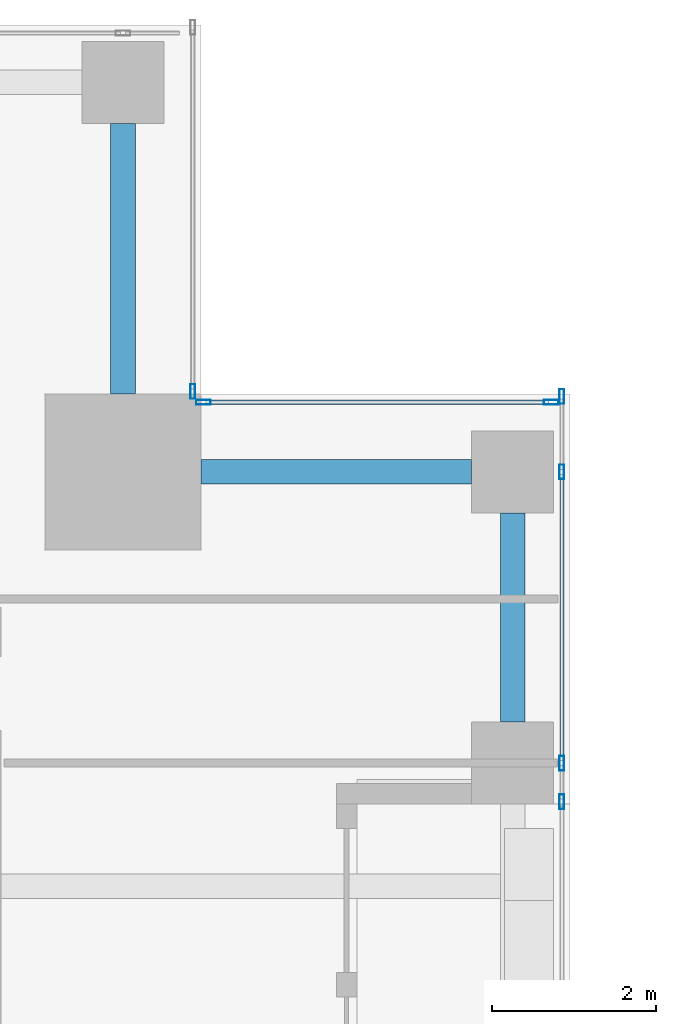
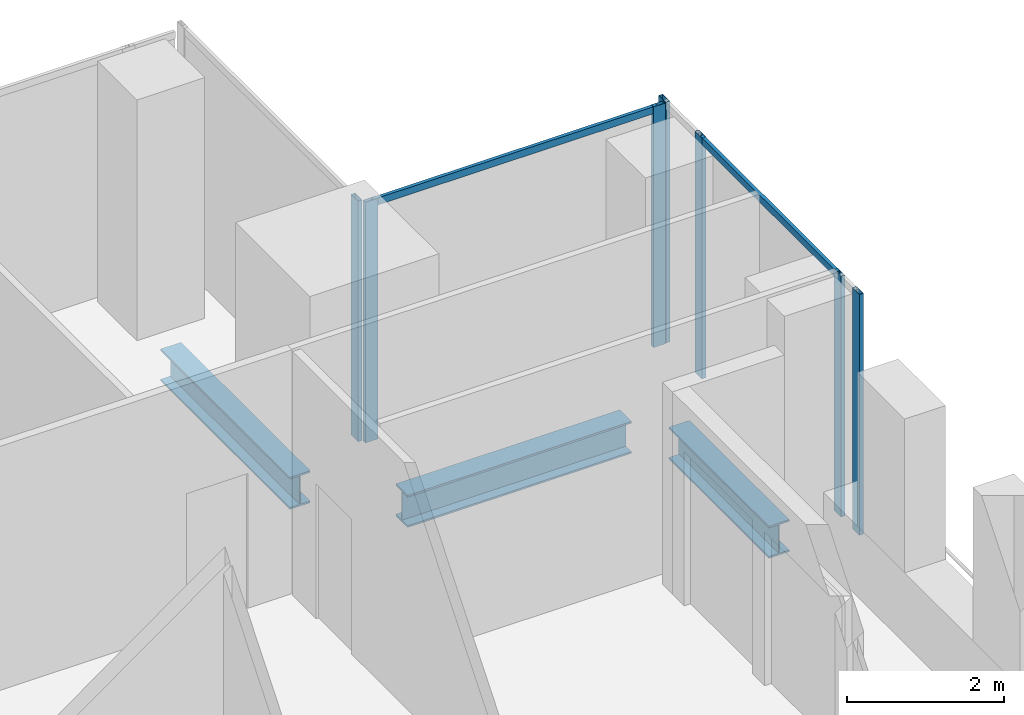
# One storey, part 23 of 38: 9 members, 3 beams, 3 elements without a shape of their own.
"""IFC4 building model written with IfcOpenShell, lengths in metres."""

from ifc_helpers import new_model, si_unit, direction, frame, origin, origin_2d, place, context, subcontext, project, spatial, hollow_rectangle, i_section, extrude, source, transform, mapped, material, material_profile, profile_set, type_object, element, aggregate, save


model = new_model("IFC4")

# Units and contexts
model_context = context("Model", 3, precision=1e-05, world=origin(), true_north=direction((0.0, 1.0)))
body_context = subcontext(model_context, "Body", "Model", "MODEL_VIEW")
ifc_project = project(units=[si_unit("LENGTHUNIT", "METRE"), si_unit("AREAUNIT", "SQUARE_METRE"), si_unit("VOLUMEUNIT", "CUBIC_METRE"), si_unit("PLANEANGLEUNIT", "RADIAN"), si_unit("MASSUNIT", "GRAM", prefix="KILO")], contexts=[model_context])

# Site, building, storey
site_placement = place(None, origin())
site = spatial("IfcSite", under=ifc_project, at=site_placement, CompositionType="ELEMENT")
building_placement = place(site_placement, origin())
building = spatial("IfcBuilding", under=site, at=building_placement, Name="Khomas Fold Tower", CompositionType="ELEMENT")
storey_placement = place(building_placement, frame((0.0, 0.0, 196.699951171875)))
storey = spatial("IfcBuildingStorey", under=building, at=storey_placement, Name="L43", CompositionType="ELEMENT", Elevation=196.699951171875)

# Beams
ifc_material_1 = material(Name="Steel S355", Category="steel")
ifc_material_profile_1 = material_profile(ifc_material_1, i_section(OverallWidth=0.300048828125, OverallDepth=0.5, WebThickness=0.014404296875, FlangeThickness=0.028076171875, at=origin_2d()), Name="HE 500 B")
ifc_profile_set_1 = profile_set([ifc_material_profile_1], Name="Steel S355")
beam_type = type_object("IfcBeamType", Name="HE 500 B spandrel SB3", PredefinedType="SPANDREL", material=ifc_profile_set_1)
shared_shape_1 = source(origin(), body_context, "Body", "SweptSolid", [
    extrude(i_section(OverallWidth=0.300048828125, OverallDepth=0.5, WebThickness=0.014404296875, FlangeThickness=0.028076171875, at=origin_2d()), origin(), (0.0, 0.0, 1.0), 2.550048828125),
])
beam_placement = place(storey_placement, frame((50.300048828125, 42.5, -0.5), z_axis=(0.0, 1.0, 0.0), x_axis=(-1.0, 0.0, 0.0)))
element("IfcBeam", 1, at=beam_placement, inside=storey, type_object=beam_type, Name="SB3", PredefinedType="SPANDREL", context=body_context, shape_type="MappedRepresentation", body=[
    mapped(shared_shape_1, transform((0.0, 0.0, 0.0))),
])
shared_shape_2 = source(origin(), body_context, "Body", "SweptSolid", [
    extrude(i_section(OverallWidth=0.300048828125, OverallDepth=0.5, WebThickness=0.014404296875, FlangeThickness=0.028076171875, at=origin_2d()), origin(), (0.0, 0.0, 1.0), 3.300048828125),
])
for number, where, z_axis, x_axis, name in (
    (2, (46.5, 45.550048828125, -0.5), (1.0, 0.0, 0.0), (0.0, 1.0, 0.0), "SB3"),
    (3, (45.550048828125, 46.5, -0.5), (0.0, 1.0, 0.0), (-1.0, 0.0, 0.0), "SB3"),
):
    element("IfcBeam", number, at=place(storey_placement, frame(where, z_axis=z_axis, x_axis=x_axis)), inside=storey, type_object=beam_type, Name=name, PredefinedType="SPANDREL", context=body_context, shape_type="MappedRepresentation", body=[
        mapped(shared_shape_2, transform((0.0, 0.0, 0.0))),
    ])

# Curtain wall, members
ifc_material_2 = material(Name="Aluminium framed double glazing", Category="aluminium")
curtain_wall_type = type_object("IfcCurtainWallType", Name="SK-Unitised clear-glass wall, office floors CW2", PredefinedType="NOTDEFINED", material=ifc_material_2)
curtain_wall_1_placement = place(storey_placement, origin())
curtain_wall_1 = element("IfcCurtainWall", 4, at=curtain_wall_1_placement, inside=storey, type_object=curtain_wall_type, Name="CW2 run L43 03-1", PredefinedType="NOTDEFINED")
ifc_material_3 = material(Name="Aluminium", Category="aluminium")
ifc_material_profile_2 = material_profile(ifc_material_3, hollow_rectangle(XDim=0.06005859375, YDim=0.179931640625, WallThickness=0.00390625, at=origin_2d()), Name="SK-Unitised clear-glass wall, office floors mullion CW2-M")
ifc_profile_set_2 = profile_set([ifc_material_profile_2], Name="Aluminium")
member_type_1 = type_object("IfcMemberType", Name="SK-Unitised clear-glass wall, office floors mullion CW2-M", PredefinedType="MULLION", material=ifc_profile_set_2)
shared_shape_3 = source(origin(), body_context, "Body", "SweptSolid", [
    extrude(hollow_rectangle(XDim=0.06005859375, YDim=0.179931640625, WallThickness=0.00390625, at=origin_2d()), origin(), (0.0, 0.0, 1.0), 3.75),
])
member_1_placement = place(storey_placement, frame((50.89990234375, 41.530029296875, 0.0), z_axis=(0.0, 0.0, 1.0), x_axis=(-1.0, 0.0, 0.0)))
member_1 = element("IfcMember", 5, at=member_1_placement, type_object=member_type_1, Name="CW2 mullion 1", PredefinedType="MULLION", context=body_context, shape_type="MappedRepresentation", body=[
    mapped(shared_shape_3, transform((0.0, 0.0, 0.0))),
])
member_2_placement = place(storey_placement, frame((50.89990234375, 42.0, 0.0), z_axis=(0.0, 0.0, 1.0), x_axis=(-1.0, 0.0, 0.0)))
member_2 = element("IfcMember", 6, at=member_2_placement, type_object=member_type_1, Name="CW2 mullion 2", PredefinedType="MULLION", context=body_context, shape_type="MappedRepresentation", body=[
    mapped(shared_shape_3, transform((0.0, 0.0, 0.0))),
])
member_3_placement = place(storey_placement, frame((50.89990234375, 45.550048828125, 0.0), z_axis=(0.0, 0.0, 1.0), x_axis=(-1.0, 0.0, 0.0)))
member_3 = element("IfcMember", 7, at=member_3_placement, type_object=member_type_1, Name="CW2 mullion 3", PredefinedType="MULLION", context=body_context, shape_type="MappedRepresentation", body=[
    mapped(shared_shape_3, transform((0.0, 0.0, 0.0))),
])
member_4_placement = place(storey_placement, frame((50.89990234375, 46.469970703125, 0.0), z_axis=(0.0, 0.0, 1.0), x_axis=(-1.0, 0.0, 0.0)))
member_4 = element("IfcMember", 8, at=member_4_placement, type_object=member_type_1, Name="CW2 mullion 4", PredefinedType="MULLION", context=body_context, shape_type="MappedRepresentation", body=[
    mapped(shared_shape_3, transform((0.0, 0.0, 0.0))),
])

curtain_wall_2_placement = place(storey_placement, origin())
curtain_wall_2 = element("IfcCurtainWall", 9, at=curtain_wall_2_placement, inside=storey, type_object=curtain_wall_type, Name="CW2 corner return L43 04", PredefinedType="NOTDEFINED")
member_5_placement = place(storey_placement, frame((50.77001953125, 46.39990234375, 0.0), z_axis=(0.0, 0.0, 1.0), x_axis=(0.0, -1.0, 0.0)))
member_5 = element("IfcMember", 10, at=member_5_placement, type_object=member_type_1, Name="CW2 mullion 1", PredefinedType="MULLION", context=body_context, shape_type="MappedRepresentation", body=[
    mapped(shared_shape_3, transform((0.0, 0.0, 0.0))),
])
member_6_placement = place(storey_placement, frame((46.530029296875, 46.39990234375, 0.0), z_axis=(0.0, 0.0, 1.0), x_axis=(0.0, -1.0, 0.0)))
member_6 = element("IfcMember", 11, at=member_6_placement, type_object=member_type_1, Name="CW2 mullion 2", PredefinedType="MULLION", context=body_context, shape_type="MappedRepresentation", body=[
    mapped(shared_shape_3, transform((0.0, 0.0, 0.0))),
])

# Curtain wall, member
curtain_wall_3_placement = place(storey_placement, origin())
curtain_wall_3 = element("IfcCurtainWall", 12, at=curtain_wall_3_placement, inside=storey, type_object=curtain_wall_type, Name="CW2 corner return L43 05", PredefinedType="NOTDEFINED")
member_7_placement = place(storey_placement, frame((46.39990234375, 46.530029296875, 0.0), z_axis=(0.0, 0.0, 1.0), x_axis=(-1.0, 0.0, 0.0)))
member_7 = element("IfcMember", 13, at=member_7_placement, type_object=member_type_1, Name="CW2 mullion 1", PredefinedType="MULLION", context=body_context, shape_type="MappedRepresentation", body=[
    mapped(shared_shape_3, transform((0.0, 0.0, 0.0))),
])
aggregate(curtain_wall_3, [member_7])

# Member
ifc_material_4 = material(Name="Aluminium", Category="aluminium")
ifc_material_profile_3 = material_profile(ifc_material_4, hollow_rectangle(XDim=0.050048828125, YDim=0.110107421875, WallThickness=0.00390625, at=origin_2d()), Name="SK-Unitised clear-glass wall, office floors transom CW2-T")
ifc_profile_set_3 = profile_set([ifc_material_profile_3], Name="Aluminium")
member_type_2 = type_object("IfcMemberType", Name="SK-Unitised clear-glass wall, office floors transom CW2-T", PredefinedType="USERDEFINED", material=ifc_profile_set_3)
shared_shape_4 = source(origin(), body_context, "Body", "SweptSolid", [
    extrude(hollow_rectangle(XDim=0.050048828125, YDim=0.110107421875, WallThickness=0.00390625, at=origin_2d()), origin(), (0.0, 0.0, 1.0), 3.489990234375),
])
member_8_placement = place(storey_placement, frame((50.89990234375, 42.030029296875, 3.695068359375), z_axis=(0.0, 1.0, 0.0), x_axis=(-1.0, 0.0, 0.0)))
member_8 = element("IfcMember", 14, at=member_8_placement, type_object=member_type_2, Name="CW2 transom 2", ObjectType="TRANSOM", PredefinedType="USERDEFINED", context=body_context, shape_type="MappedRepresentation", body=[
    mapped(shared_shape_4, transform((0.0, 0.0, 0.0))),
])

aggregate(curtain_wall_1, [member_1, member_2, member_3, member_4, member_8])

shared_shape_5 = source(origin(), body_context, "Body", "SweptSolid", [
    extrude(hollow_rectangle(XDim=0.050048828125, YDim=0.110107421875, WallThickness=0.00390625, at=origin_2d()), origin(), (0.0, 0.0, 1.0), 4.179931640625),
])
member_9_placement = place(storey_placement, frame((50.739990234375, 46.39990234375, 3.695068359375), z_axis=(-1.0, 0.0, 0.0), x_axis=(0.0, -1.0, 0.0)))
member_9 = element("IfcMember", 15, at=member_9_placement, type_object=member_type_2, Name="CW2 transom 1", ObjectType="TRANSOM", PredefinedType="USERDEFINED", context=body_context, shape_type="MappedRepresentation", body=[
    mapped(shared_shape_5, transform((0.0, 0.0, 0.0))),
])

aggregate(curtain_wall_2, [member_5, member_6, member_9])

save(model, "model.ifc")
